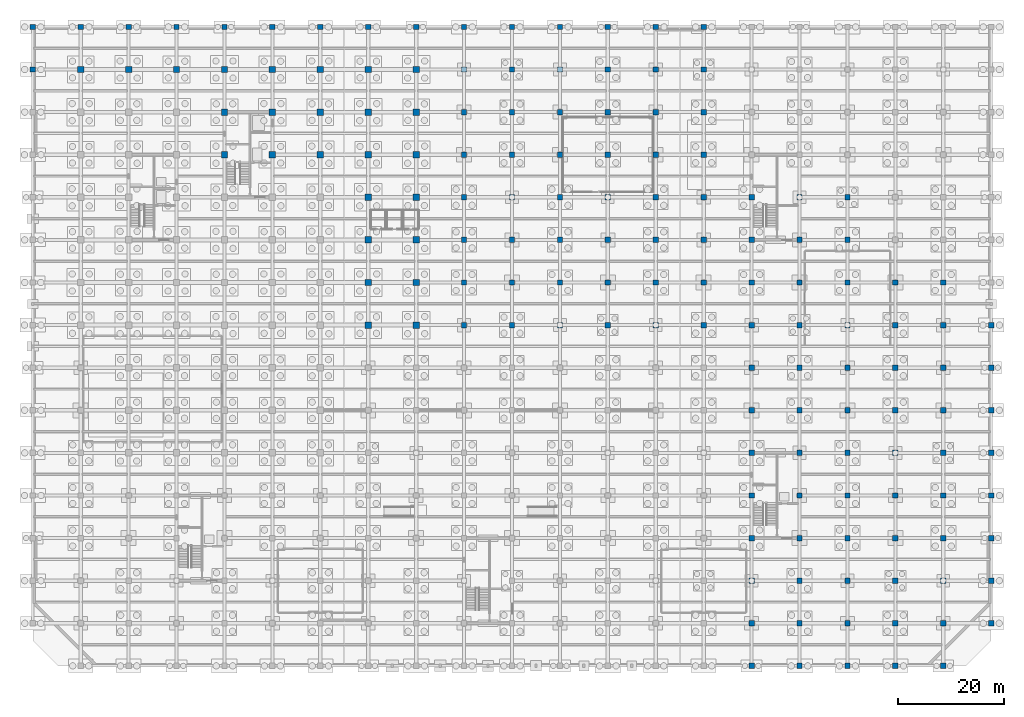
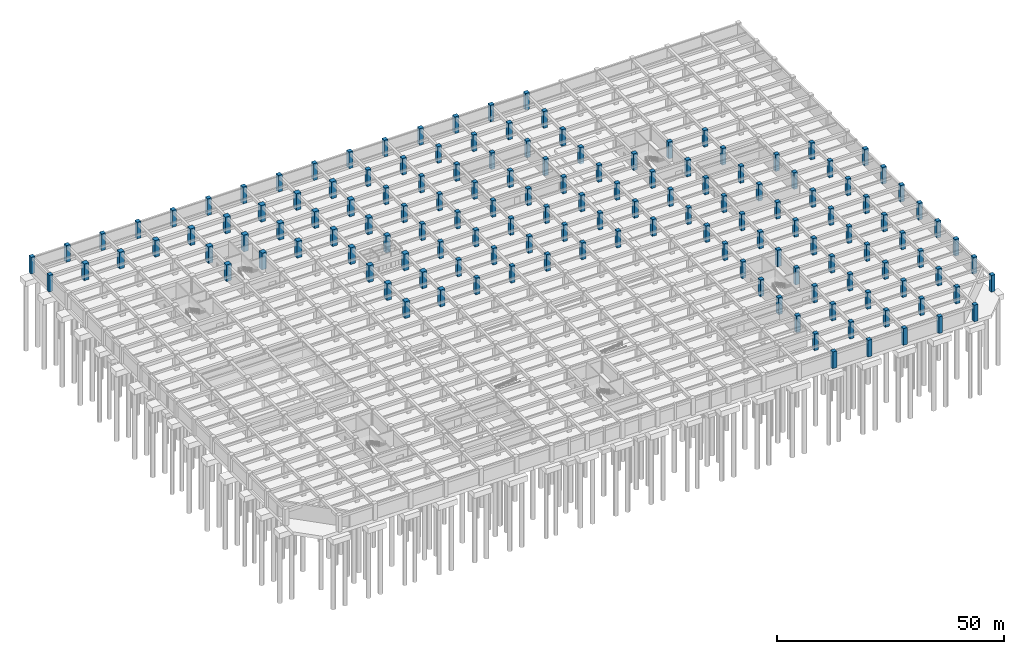
# One storey, part 10 of 31: 148 columns.
"""IFC4 building model written with IfcOpenShell, lengths in metres."""

import ifcopenshell
import ifcopenshell.guid

model = None  # the IFC model being written
_history = None  # IfcOwnerHistory: only IFC2X3 demands one
_inside = {}  # id of a spatial element -> (the spatial element, [elements in it])
_under = {}  # id of a project, library or spatial element -> (it, [spatial elements below it])
_declared = {}  # id of a project -> (the project, [libraries it declares])
_typed = {}  # id of a type object -> (the type object, [elements of that type])
_made_of = {}  # id of a material, layer set ... -> (it, [elements and type objects made of it])


def new_model(schema):
    """Start an empty IFC model of exactly this schema.

    Asked for "IFC4X3", IfcOpenShell would pick the latest addendum, in which some entities
    have other attributes; the version numbers below select the first issue.
    IFC2X3 requires an IfcOwnerHistory on every rooted entity: one is made here for all.
    """
    global model, _history
    if schema == "IFC4X3":
        model = ifcopenshell.file(schema_version=(4, 3, 0, 0))
    else:
        model = ifcopenshell.file(schema=schema)
    _inside.clear()
    _under.clear()
    _declared.clear()
    _typed.clear()
    _made_of.clear()
    _history = None
    if model.schema == "IFC2X3":
        org = make("IfcOrganization", Name="unknown")
        user = make(
            "IfcPersonAndOrganization",
            ThePerson=make("IfcPerson", FamilyName="unknown"),
            TheOrganization=org,
        )
        app = make(
            "IfcApplication",
            ApplicationDeveloper=org,
            Version="unknown",
            ApplicationFullName="unknown",
            ApplicationIdentifier="unknown",
        )
        _history = make(
            "IfcOwnerHistory",
            OwningUser=user,
            OwningApplication=app,
            ChangeAction="ADDED",
            CreationDate=0,
        )
    return model


def make(cls, **values):
    """One entity of the class cls with the attributes given. An attribute that is None is left unset."""
    return model.create_entity(
        cls, **{name: value for name, value in values.items() if value is not None}
    )


def rooted(cls, **values):
    """An entity with a GlobalId (a new one), such as an element, a storey or a relation."""
    return make(cls, GlobalId=ifcopenshell.guid.new(), OwnerHistory=_history, **values)


def si_unit(unit_type, name, prefix=None):
    """IfcSIUnit, for example si_unit("LENGTHUNIT", "METRE", prefix="MILLI")."""
    return make("IfcSIUnit", UnitType=unit_type, Prefix=prefix, Name=name)


def assignment(units):
    """IfcUnitAssignment: the units of a project."""
    return None if units is None else make("IfcUnitAssignment", Units=units)


def point(xyz):
    """IfcCartesianPoint."""
    return None if xyz is None else make("IfcCartesianPoint", Coordinates=xyz)


def direction(xyz):
    """IfcDirection."""
    return None if xyz is None else make("IfcDirection", DirectionRatios=xyz)


def frame(location, z_axis=None, x_axis=None):
    """IfcAxis2Placement3D, a coordinate frame: its origin and axes. An axis left out is left unset."""
    return make(
        "IfcAxis2Placement3D",
        Location=point(location),
        Axis=direction(z_axis),
        RefDirection=direction(x_axis),
    )


def frame_2d(location, x_axis=None):
    """IfcAxis2Placement2D, a coordinate frame in the plane: its origin and x axis."""
    return make(
        "IfcAxis2Placement2D", Location=point(location), RefDirection=direction(x_axis)
    )


def origin():
    """The frame at (0, 0, 0) with its axes left unset."""
    return frame((0.0, 0.0, 0.0))


def origin_2d():
    """The frame at (0, 0) in the plane with its x axis left unset."""
    return frame_2d((0.0, 0.0))


def place(relative_to, where):
    """IfcLocalPlacement: puts the frame where relative to a parent placement (None: the world)."""
    return make(
        "IfcLocalPlacement", PlacementRelTo=relative_to, RelativePlacement=where
    )


def context(
    kind, dimensions, precision=None, world=None, true_north=None, identifier=None
):
    """IfcGeometricRepresentationContext, for example the 3D "Model" context."""
    return make(
        "IfcGeometricRepresentationContext",
        ContextIdentifier=identifier,
        ContextType=kind,
        CoordinateSpaceDimension=dimensions,
        Precision=precision,
        WorldCoordinateSystem=world,
        TrueNorth=true_north,
    )


def subcontext(parent, identifier, kind, view, scale=None):
    """IfcGeometricRepresentationSubContext, for example "Body" below "Model"."""
    return make(
        "IfcGeometricRepresentationSubContext",
        ContextIdentifier=identifier,
        ContextType=kind,
        ParentContext=parent,
        TargetScale=scale,
        TargetView=view,
    )


def project(units=None, contexts=None):
    """IfcProject with its units and contexts."""
    return rooted(
        "IfcProject",
        Name="project",
        RepresentationContexts=contexts,
        UnitsInContext=assignment(units),
    )


def spatial(cls, under=None, at=None, **own):
    """A site, building, storey or space (cls), placed at a placement, below another one or the project."""
    s = rooted(cls, ObjectPlacement=at, **own)
    if under is not None:
        _under.setdefault(under.id(), (under, []))[1].append(s)
    return s


def profile(cls, at=None, kind="AREA", **sizes):
    """A parametric profile (cls). Its sizes go by their IFC names, for example OverallWidth=200.0."""
    return make(cls, ProfileType=kind, Position=at, **sizes)


def rectangle(**sizes):
    """IfcRectangleProfileDef."""
    return profile("IfcRectangleProfileDef", **sizes)


def extrude(swept, where, along, depth):
    """IfcExtrudedAreaSolid: the profile swept, set in the frame where, extruded along a direction by depth."""
    return make(
        "IfcExtrudedAreaSolid",
        SweptArea=swept,
        Position=where,
        ExtrudedDirection=direction(along),
        Depth=depth,
    )


def shape(context_of_items, identifier, shape_type, items):
    """IfcShapeRepresentation: the items that make up one representation, for example the "Body"."""
    return make(
        "IfcShapeRepresentation",
        ContextOfItems=context_of_items,
        RepresentationIdentifier=identifier,
        RepresentationType=shape_type,
        Items=items,
    )


def material(Name=None, Category=None):
    """IfcMaterial."""
    return make("IfcMaterial", Name=Name, Category=Category)


def material_profile(
    of_material, cross_section, Name=None, Category=None, Priority=None
):
    """IfcMaterialProfile: a cross section and its material."""
    return make(
        "IfcMaterialProfile",
        Name=Name,
        Material=of_material,
        Profile=cross_section,
        Priority=Priority,
        Category=Category,
    )


def profile_set(profiles, Name=None, composite=None):
    """IfcMaterialProfileSet."""
    return make(
        "IfcMaterialProfileSet",
        Name=Name,
        MaterialProfiles=profiles,
        CompositeProfile=composite,
    )


def made_of(thing, what):
    """Note that an element or type object is made of a material, layer set ...; save() writes the relation."""
    if what is not None:
        _made_of.setdefault(what.id(), (what, []))[1].append(thing)
    return thing


def type_object(cls, material=None, **own):
    """A type object (cls), such as IfcWallType, which elements share."""
    return made_of(rooted(cls, **own), material)


def element(
    cls,
    number,
    at=None,
    inside=None,
    cuts=None,
    type_object=None,
    material=None,
    context=None,
    identifier="Body",
    shape_type=None,
    held_by="IfcProductDefinitionShape",
    body=None,
    shapes=None,
    **own,
):
    """One element of the class cls, such as IfcWall. Its Tag is "e" and its number.

    at: its placement. inside: the storey or other place that contains it. cuts: it is an
    opening in that element (IfcRelVoidsElement). A single representation is given by context,
    identifier, shape_type and body (its items); several are given by shapes. held_by: the class
    of the entity that holds the representations. save() writes the other relations.
    """
    e = rooted(cls, Tag="e%d" % number, ObjectPlacement=at, **own)
    if body is not None:
        shapes = [shape(context, identifier, shape_type, body)]
    if shapes is not None:
        e.Representation = make(held_by, Representations=shapes)
    if inside is not None:
        _inside.setdefault(inside.id(), (inside, []))[1].append(e)
    if cuts is not None:
        rooted(
            "IfcRelVoidsElement", RelatingBuildingElement=cuts, RelatedOpeningElement=e
        )
    if type_object is not None:
        _typed.setdefault(type_object.id(), (type_object, []))[1].append(e)
    return made_of(e, material)


def aggregate(whole, parts):
    """IfcRelAggregates: a whole, such as a stair, and the parts it consists of."""
    return rooted("IfcRelAggregates", RelatingObject=whole, RelatedObjects=parts)


def save(model, path):
    """Write the relations noted so far, then the file.

    IfcRelAggregates (storeys below a building ...), IfcRelContainedInSpatialStructure (elements
    in a storey), IfcRelDefinesByType, IfcRelAssociatesMaterial and IfcRelDeclares: one each for
    every whole, place, type object, material and project.
    """
    for whole, parts in _under.values():
        aggregate(whole, parts)
    for where, things in _inside.values():
        rooted(
            "IfcRelContainedInSpatialStructure",
            RelatedElements=things,
            RelatingStructure=where,
        )
    for kind, things in _typed.values():
        rooted("IfcRelDefinesByType", RelatedObjects=things, RelatingType=kind)
    for what, things in _made_of.values():
        rooted("IfcRelAssociatesMaterial", RelatedObjects=things, RelatingMaterial=what)
    for by, libraries in _declared.values():
        rooted("IfcRelDeclares", RelatingContext=by, RelatedDefinitions=libraries)
    model.write(path)


model = new_model("IFC4")

# Units and contexts
model_context = context("Model", 3, precision=1e-05, world=origin(), true_north=direction((0.0, 1.0)))
body_context = subcontext(model_context, "Body", "Model", "MODEL_VIEW")
ifc_project = project(units=[si_unit("LENGTHUNIT", "METRE"), si_unit("AREAUNIT", "SQUARE_METRE"), si_unit("VOLUMEUNIT", "CUBIC_METRE"), si_unit("PLANEANGLEUNIT", "RADIAN"), si_unit("MASSUNIT", "GRAM", prefix="KILO")], contexts=[model_context])

# Site, building, storey
site_placement = place(None, origin())
site = spatial("IfcSite", under=ifc_project, at=site_placement, CompositionType="ELEMENT")
building_placement = place(site_placement, origin())
building = spatial("IfcBuilding", under=site, at=building_placement, Name="Zaverband Oceanarium and Marine Research Institute", CompositionType="ELEMENT")
storey_placement = place(building_placement, frame((0.0, 0.0, -9.0)))
storey = spatial("IfcBuildingStorey", under=building, at=storey_placement, Name="B2", CompositionType="ELEMENT", Elevation=-9.0)

# Columns
ifc_material = material(Name="Concrete C50/60", Category="concrete")
ifc_material_profile_1 = material_profile(ifc_material, rectangle(XDim=1.0, YDim=1.0, at=origin_2d()), Name="RC1000x1000")
ifc_profile_set_1 = profile_set([ifc_material_profile_1], Name="Concrete C50/60")
column_type_1 = type_object("IfcColumnType", Name="COL-C1000", PredefinedType="COLUMN", material=ifc_profile_set_1)
for number, where, z_axis, x_axis, name in (
    (1, (0.0, 112.0, 0.0), (0.0, 0.0, 1.0), (1.0, 0.0, 0.0), "Reinforced concrete column RC1000x1000 COL-C1000"),
    (2, (0.0, 120.0, 0.0), (0.0, 0.0, 1.0), (1.0, 0.0, 0.0), "Reinforced concrete column RC1000x1000 COL-C1000"),
    (3, (9.0, 120.0, 0.0), (0.0, 0.0, 1.0), (1.0, 0.0, 0.0), "Reinforced concrete column RC1000x1000 COL-C1000"),
    (4, (18.0, 120.0, 0.0), (0.0, 0.0, 1.0), (1.0, 0.0, 0.0), "Reinforced concrete column RC1000x1000 COL-C1000"),
    (5, (27.0, 120.0, 0.0), (0.0, 0.0, 1.0), (1.0, 0.0, 0.0), "Reinforced concrete column RC1000x1000 COL-C1000"),
    (6, (36.0, 120.0, 0.0), (0.0, 0.0, 1.0), (1.0, 0.0, 0.0), "Reinforced concrete column RC1000x1000 COL-C1000"),
    (7, (45.0, 120.0, 0.0), (0.0, 0.0, 1.0), (1.0, 0.0, 0.0), "Reinforced concrete column RC1000x1000 COL-C1000"),
    (8, (54.0, 120.0, 0.0), (0.0, 0.0, 1.0), (1.0, 0.0, 0.0), "Reinforced concrete column RC1000x1000 COL-C1000"),
    (9, (63.0, 120.0, 0.0), (0.0, 0.0, 1.0), (1.0, 0.0, 0.0), "Reinforced concrete column RC1000x1000 COL-C1000"),
    (10, (72.0, 120.0, 0.0), (0.0, 0.0, 1.0), (1.0, 0.0, 0.0), "Reinforced concrete column RC1000x1000 COL-C1000"),
    (11, (81.0, 64.0, 0.0), (0.0, 0.0, 1.0), (1.0, 0.0, 0.0), "Reinforced concrete column RC1000x1000 COL-C1000"),
    (12, (81.0, 72.0, 0.0), (0.0, 0.0, 1.0), (1.0, 0.0, 0.0), "Reinforced concrete column RC1000x1000 COL-C1000"),
    (13, (81.0, 80.0, 0.0), (0.0, 0.0, 1.0), (1.0, 0.0, 0.0), "Reinforced concrete column RC1000x1000 COL-C1000"),
    (14, (81.0, 88.0, 0.0), (0.0, 0.0, 1.0), (1.0, 0.0, 0.0), "Reinforced concrete column RC1000x1000 COL-C1000"),
    (15, (81.0, 96.0, 0.0), (0.0, 0.0, 1.0), (1.0, 0.0, 0.0), "Reinforced concrete column RC1000x1000 COL-C1000"),
    (16, (81.0, 104.0, 0.0), (0.0, 0.0, 1.0), (1.0, 0.0, 0.0), "Reinforced concrete column RC1000x1000 COL-C1000"),
    (17, (81.0, 112.0, 0.0), (0.0, 0.0, 1.0), (1.0, 0.0, 0.0), "Reinforced concrete column RC1000x1000 COL-C1000"),
    (18, (81.0, 120.0, 0.0), (0.0, 0.0, 1.0), (1.0, 0.0, 0.0), "Reinforced concrete column RC1000x1000 COL-C1000"),
    (19, (90.0, 64.0, 0.0), (0.0, 0.0, 1.0), (1.0, 0.0, 0.0), "Reinforced concrete column RC1000x1000 COL-C1000"),
    (20, (90.0, 72.0, 0.0), (0.0, 0.0, 1.0), (1.0, 0.0, 0.0), "Reinforced concrete column RC1000x1000 COL-C1000"),
    (21, (90.0, 80.0, 0.0), (0.0, 0.0, 1.0), (1.0, 0.0, 0.0), "Reinforced concrete column RC1000x1000 COL-C1000"),
    (22, (90.0, 88.0, 0.0), (0.0, 0.0, 1.0), (1.0, 0.0, 0.0), "Reinforced concrete column RC1000x1000 COL-C1000"),
    (23, (90.0, 96.0, 0.0), (0.0, 0.0, 1.0), (1.0, 0.0, 0.0), "Reinforced concrete column RC1000x1000 COL-C1000"),
    (24, (90.0, 104.0, 0.0), (0.0, 0.0, 1.0), (1.0, 0.0, 0.0), "Reinforced concrete column RC1000x1000 COL-C1000"),
    (25, (90.0, 112.0, 0.0), (0.0, 0.0, 1.0), (1.0, 0.0, 0.0), "Reinforced concrete column RC1000x1000 COL-C1000"),
    (26, (90.0, 120.0, 0.0), (0.0, 0.0, 1.0), (1.0, 0.0, 0.0), "Reinforced concrete column RC1000x1000 COL-C1000"),
    (27, (99.0, 64.0, 0.0), (0.0, 0.0, 1.0), (1.0, 0.0, 0.0), "Reinforced concrete column RC1000x1000 COL-C1000"),
    (28, (99.0, 72.0, 0.0), (0.0, 0.0, 1.0), (1.0, 0.0, 0.0), "Reinforced concrete column RC1000x1000 COL-C1000"),
    (29, (99.0, 80.0, 0.0), (0.0, 0.0, 1.0), (1.0, 0.0, 0.0), "Reinforced concrete column RC1000x1000 COL-C1000"),
    (30, (99.0, 88.0, 0.0), (0.0, 0.0, 1.0), (1.0, 0.0, 0.0), "Reinforced concrete column RC1000x1000 COL-C1000"),
    (31, (99.0, 96.0, 0.0), (0.0, 0.0, 1.0), (1.0, 0.0, 0.0), "Reinforced concrete column RC1000x1000 COL-C1000"),
    (32, (99.0, 104.0, 0.0), (0.0, 0.0, 1.0), (1.0, 0.0, 0.0), "Reinforced concrete column RC1000x1000 COL-C1000"),
    (33, (99.0, 112.0, 0.0), (0.0, 0.0, 1.0), (1.0, 0.0, 0.0), "Reinforced concrete column RC1000x1000 COL-C1000"),
    (34, (99.0, 120.0, 0.0), (0.0, 0.0, 1.0), (1.0, 0.0, 0.0), "Reinforced concrete column RC1000x1000 COL-C1000"),
    (35, (108.0, 64.0, 0.0), (0.0, 0.0, 1.0), (1.0, 0.0, 0.0), "Reinforced concrete column RC1000x1000 COL-C1000"),
    (36, (108.0, 72.0, 0.0), (0.0, 0.0, 1.0), (1.0, 0.0, 0.0), "Reinforced concrete column RC1000x1000 COL-C1000"),
    (37, (108.0, 80.0, 0.0), (0.0, 0.0, 1.0), (1.0, 0.0, 0.0), "Reinforced concrete column RC1000x1000 COL-C1000"),
    (38, (108.0, 88.0, 0.0), (0.0, 0.0, 1.0), (1.0, 0.0, 0.0), "Reinforced concrete column RC1000x1000 COL-C1000"),
    (39, (108.0, 96.0, 0.0), (0.0, 0.0, 1.0), (1.0, 0.0, 0.0), "Reinforced concrete column RC1000x1000 COL-C1000"),
    (40, (108.0, 104.0, 0.0), (0.0, 0.0, 1.0), (1.0, 0.0, 0.0), "Reinforced concrete column RC1000x1000 COL-C1000"),
    (41, (108.0, 112.0, 0.0), (0.0, 0.0, 1.0), (1.0, 0.0, 0.0), "Reinforced concrete column RC1000x1000 COL-C1000"),
    (42, (108.0, 120.0, 0.0), (0.0, 0.0, 1.0), (1.0, 0.0, 0.0), "Reinforced concrete column RC1000x1000 COL-C1000"),
    (43, (117.0, 64.0, 0.0), (0.0, 0.0, 1.0), (1.0, 0.0, 0.0), "Reinforced concrete column RC1000x1000 COL-C1000"),
    (44, (117.0, 72.0, 0.0), (0.0, 0.0, 1.0), (1.0, 0.0, 0.0), "Reinforced concrete column RC1000x1000 COL-C1000"),
    (45, (117.0, 80.0, 0.0), (0.0, 0.0, 1.0), (1.0, 0.0, 0.0), "Reinforced concrete column RC1000x1000 COL-C1000"),
    (46, (117.0, 88.0, 0.0), (0.0, 0.0, 1.0), (1.0, 0.0, 0.0), "Reinforced concrete column RC1000x1000 COL-C1000"),
    (47, (117.0, 96.0, 0.0), (0.0, 0.0, 1.0), (1.0, 0.0, 0.0), "Reinforced concrete column RC1000x1000 COL-C1000"),
    (48, (117.0, 104.0, 0.0), (0.0, 0.0, 1.0), (1.0, 0.0, 0.0), "Reinforced concrete column RC1000x1000 COL-C1000"),
    (49, (117.0, 112.0, 0.0), (0.0, 0.0, 1.0), (1.0, 0.0, 0.0), "Reinforced concrete column RC1000x1000 COL-C1000"),
    (50, (117.0, 120.0, 0.0), (0.0, 0.0, 1.0), (1.0, 0.0, 0.0), "Reinforced concrete column RC1000x1000 COL-C1000"),
    (51, (126.0, 64.0, 0.0), (0.0, 0.0, 1.0), (1.0, 0.0, 0.0), "Reinforced concrete column RC1000x1000 COL-C1000"),
    (52, (126.0, 72.0, 0.0), (0.0, 0.0, 1.0), (1.0, 0.0, 0.0), "Reinforced concrete column RC1000x1000 COL-C1000"),
    (53, (126.0, 80.0, 0.0), (0.0, 0.0, 1.0), (1.0, 0.0, 0.0), "Reinforced concrete column RC1000x1000 COL-C1000"),
    (54, (126.0, 88.0, 0.0), (0.0, 0.0, 1.0), (1.0, 0.0, 0.0), "Reinforced concrete column RC1000x1000 COL-C1000"),
    (55, (126.0, 96.0, 0.0), (0.0, 0.0, 1.0), (1.0, 0.0, 0.0), "Reinforced concrete column RC1000x1000 COL-C1000"),
    (56, (126.0, 104.0, 0.0), (0.0, 0.0, 1.0), (1.0, 0.0, 0.0), "Reinforced concrete column RC1000x1000 COL-C1000"),
    (57, (126.0, 112.0, 0.0), (0.0, 0.0, 1.0), (1.0, 0.0, 0.0), "Reinforced concrete column RC1000x1000 COL-C1000"),
    (58, (126.0, 120.0, 0.0), (0.0, 0.0, 1.0), (1.0, 0.0, 0.0), "Reinforced concrete column RC1000x1000 COL-C1000"),
    (59, (135.0, 0.0, 0.0), (0.0, 0.0, 1.0), (1.0, 0.0, 0.0), "Reinforced concrete column RC1000x1000 COL-C1000"),
    (60, (135.0, 8.0, 0.0), (0.0, 0.0, 1.0), (1.0, 0.0, 0.0), "Reinforced concrete column RC1000x1000 COL-C1000"),
    (61, (135.0, 16.0, 0.0), (0.0, 0.0, 1.0), (1.0, 0.0, 0.0), "Reinforced concrete column RC1000x1000 COL-C1000"),
    (62, (135.0, 24.0, 0.0), (0.0, 0.0, 1.0), (1.0, 0.0, 0.0), "Reinforced concrete column RC1000x1000 COL-C1000"),
    (63, (135.0, 32.0, 0.0), (0.0, 0.0, 1.0), (1.0, 0.0, 0.0), "Reinforced concrete column RC1000x1000 COL-C1000"),
    (64, (135.0, 40.0, 0.0), (0.0, 0.0, 1.0), (1.0, 0.0, 0.0), "Reinforced concrete column RC1000x1000 COL-C1000"),
    (65, (135.0, 48.0, 0.0), (0.0, 0.0, 1.0), (1.0, 0.0, 0.0), "Reinforced concrete column RC1000x1000 COL-C1000"),
    (66, (135.0, 56.0, 0.0), (0.0, 0.0, 1.0), (1.0, 0.0, 0.0), "Reinforced concrete column RC1000x1000 COL-C1000"),
    (67, (135.0, 64.0, 0.0), (0.0, 0.0, 1.0), (1.0, 0.0, 0.0), "Reinforced concrete column RC1000x1000 COL-C1000"),
    (68, (135.0, 72.0, 0.0), (0.0, 0.0, 1.0), (1.0, 0.0, 0.0), "Reinforced concrete column RC1000x1000 COL-C1000"),
    (69, (135.0, 80.0, 0.0), (0.0, 0.0, 1.0), (1.0, 0.0, 0.0), "Reinforced concrete column RC1000x1000 COL-C1000"),
    (70, (135.0, 88.0, 0.0), (0.0, 0.0, 1.0), (1.0, 0.0, 0.0), "Reinforced concrete column RC1000x1000 COL-C1000"),
    (71, (144.0, 0.0, 0.0), (0.0, 0.0, 1.0), (1.0, 0.0, 0.0), "Reinforced concrete column RC1000x1000 COL-C1000"),
    (72, (144.0, 8.0, 0.0), (0.0, 0.0, 1.0), (1.0, 0.0, 0.0), "Reinforced concrete column RC1000x1000 COL-C1000"),
    (73, (144.0, 16.0, 0.0), (0.0, 0.0, 1.0), (1.0, 0.0, 0.0), "Reinforced concrete column RC1000x1000 COL-C1000"),
    (74, (144.0, 24.0, 0.0), (0.0, 0.0, 1.0), (1.0, 0.0, 0.0), "Reinforced concrete column RC1000x1000 COL-C1000"),
    (75, (144.0, 32.0, 0.0), (0.0, 0.0, 1.0), (1.0, 0.0, 0.0), "Reinforced concrete column RC1000x1000 COL-C1000"),
    (76, (144.0, 40.0, 0.0), (0.0, 0.0, 1.0), (1.0, 0.0, 0.0), "Reinforced concrete column RC1000x1000 COL-C1000"),
    (77, (144.0, 48.0, 0.0), (0.0, 0.0, 1.0), (1.0, 0.0, 0.0), "Reinforced concrete column RC1000x1000 COL-C1000"),
    (78, (144.0, 56.0, 0.0), (0.0, 0.0, 1.0), (1.0, 0.0, 0.0), "Reinforced concrete column RC1000x1000 COL-C1000"),
    (79, (144.0, 64.0, 0.0), (0.0, 0.0, 1.0), (1.0, 0.0, 0.0), "Reinforced concrete column RC1000x1000 COL-C1000"),
    (80, (144.0, 72.0, 0.0), (0.0, 0.0, 1.0), (1.0, 0.0, 0.0), "Reinforced concrete column RC1000x1000 COL-C1000"),
    (81, (144.0, 80.0, 0.0), (0.0, 0.0, 1.0), (1.0, 0.0, 0.0), "Reinforced concrete column RC1000x1000 COL-C1000"),
    (82, (144.0, 88.0, 0.0), (0.0, 0.0, 1.0), (1.0, 0.0, 0.0), "Reinforced concrete column RC1000x1000 COL-C1000"),
    (83, (153.0, 0.0, 0.0), (0.0, 0.0, 1.0), (1.0, 0.0, 0.0), "Reinforced concrete column RC1000x1000 COL-C1000"),
    (84, (153.0, 8.0, 0.0), (0.0, 0.0, 1.0), (1.0, 0.0, 0.0), "Reinforced concrete column RC1000x1000 COL-C1000"),
    (85, (153.0, 16.0, 0.0), (0.0, 0.0, 1.0), (1.0, 0.0, 0.0), "Reinforced concrete column RC1000x1000 COL-C1000"),
    (86, (153.0, 24.0, 0.0), (0.0, 0.0, 1.0), (1.0, 0.0, 0.0), "Reinforced concrete column RC1000x1000 COL-C1000"),
    (87, (153.0, 32.0, 0.0), (0.0, 0.0, 1.0), (1.0, 0.0, 0.0), "Reinforced concrete column RC1000x1000 COL-C1000"),
    (88, (153.0, 40.0, 0.0), (0.0, 0.0, 1.0), (1.0, 0.0, 0.0), "Reinforced concrete column RC1000x1000 COL-C1000"),
    (89, (153.0, 48.0, 0.0), (0.0, 0.0, 1.0), (1.0, 0.0, 0.0), "Reinforced concrete column RC1000x1000 COL-C1000"),
    (90, (153.0, 56.0, 0.0), (0.0, 0.0, 1.0), (1.0, 0.0, 0.0), "Reinforced concrete column RC1000x1000 COL-C1000"),
    (91, (153.0, 64.0, 0.0), (0.0, 0.0, 1.0), (1.0, 0.0, 0.0), "Reinforced concrete column RC1000x1000 COL-C1000"),
    (92, (153.0, 72.0, 0.0), (0.0, 0.0, 1.0), (1.0, 0.0, 0.0), "Reinforced concrete column RC1000x1000 COL-C1000"),
    (93, (153.0, 80.0, 0.0), (0.0, 0.0, 1.0), (1.0, 0.0, 0.0), "Reinforced concrete column RC1000x1000 COL-C1000"),
    (94, (153.0, 88.0, 0.0), (0.0, 0.0, 1.0), (1.0, 0.0, 0.0), "Reinforced concrete column RC1000x1000 COL-C1000"),
    (95, (162.0, 0.0, 0.0), (0.0, 0.0, 1.0), (1.0, 0.0, 0.0), "Reinforced concrete column RC1000x1000 COL-C1000"),
    (96, (162.0, 8.0, 0.0), (0.0, 0.0, 1.0), (1.0, 0.0, 0.0), "Reinforced concrete column RC1000x1000 COL-C1000"),
    (97, (162.0, 16.0, 0.0), (0.0, 0.0, 1.0), (1.0, 0.0, 0.0), "Reinforced concrete column RC1000x1000 COL-C1000"),
    (98, (162.0, 24.0, 0.0), (0.0, 0.0, 1.0), (1.0, 0.0, 0.0), "Reinforced concrete column RC1000x1000 COL-C1000"),
    (99, (162.0, 32.0, 0.0), (0.0, 0.0, 1.0), (1.0, 0.0, 0.0), "Reinforced concrete column RC1000x1000 COL-C1000"),
    (100, (162.0, 40.0, 0.0), (0.0, 0.0, 1.0), (1.0, 0.0, 0.0), "Reinforced concrete column RC1000x1000 COL-C1000"),
    (101, (162.0, 48.0, 0.0), (0.0, 0.0, 1.0), (1.0, 0.0, 0.0), "Reinforced concrete column RC1000x1000 COL-C1000"),
    (102, (162.0, 56.0, 0.0), (0.0, 0.0, 1.0), (1.0, 0.0, 0.0), "Reinforced concrete column RC1000x1000 COL-C1000"),
    (103, (162.0, 64.0, 0.0), (0.0, 0.0, 1.0), (1.0, 0.0, 0.0), "Reinforced concrete column RC1000x1000 COL-C1000"),
    (104, (162.0, 72.0, 0.0), (0.0, 0.0, 1.0), (1.0, 0.0, 0.0), "Reinforced concrete column RC1000x1000 COL-C1000"),
    (105, (171.0, 0.0, 0.0), (0.0, 0.0, 1.0), (1.0, 0.0, 0.0), "Reinforced concrete column RC1000x1000 COL-C1000"),
    (106, (171.0, 8.0, 0.0), (0.0, 0.0, 1.0), (1.0, 0.0, 0.0), "Reinforced concrete column RC1000x1000 COL-C1000"),
    (107, (171.0, 16.0, 0.0), (0.0, 0.0, 1.0), (1.0, 0.0, 0.0), "Reinforced concrete column RC1000x1000 COL-C1000"),
    (108, (171.0, 24.0, 0.0), (0.0, 0.0, 1.0), (1.0, 0.0, 0.0), "Reinforced concrete column RC1000x1000 COL-C1000"),
    (109, (171.0, 32.0, 0.0), (0.0, 0.0, 1.0), (1.0, 0.0, 0.0), "Reinforced concrete column RC1000x1000 COL-C1000"),
    (110, (171.0, 40.0, 0.0), (0.0, 0.0, 1.0), (1.0, 0.0, 0.0), "Reinforced concrete column RC1000x1000 COL-C1000"),
    (111, (171.0, 48.0, 0.0), (0.0, 0.0, 1.0), (1.0, 0.0, 0.0), "Reinforced concrete column RC1000x1000 COL-C1000"),
    (112, (171.0, 56.0, 0.0), (0.0, 0.0, 1.0), (1.0, 0.0, 0.0), "Reinforced concrete column RC1000x1000 COL-C1000"),
    (113, (171.0, 64.0, 0.0), (0.0, 0.0, 1.0), (1.0, 0.0, 0.0), "Reinforced concrete column RC1000x1000 COL-C1000"),
    (114, (171.0, 72.0, 0.0), (0.0, 0.0, 1.0), (1.0, 0.0, 0.0), "Reinforced concrete column RC1000x1000 COL-C1000"),
    (115, (180.0, 8.0, 0.0), (0.0, 0.0, 1.0), (1.0, 0.0, 0.0), "Reinforced concrete column RC1000x1000 COL-C1000"),
    (116, (180.0, 16.0, 0.0), (0.0, 0.0, 1.0), (1.0, 0.0, 0.0), "Reinforced concrete column RC1000x1000 COL-C1000"),
    (117, (180.0, 24.0, 0.0), (0.0, 0.0, 1.0), (1.0, 0.0, 0.0), "Reinforced concrete column RC1000x1000 COL-C1000"),
    (118, (180.0, 32.0, 0.0), (0.0, 0.0, 1.0), (1.0, 0.0, 0.0), "Reinforced concrete column RC1000x1000 COL-C1000"),
    (119, (180.0, 40.0, 0.0), (0.0, 0.0, 1.0), (1.0, 0.0, 0.0), "Reinforced concrete column RC1000x1000 COL-C1000"),
    (120, (180.0, 48.0, 0.0), (0.0, 0.0, 1.0), (1.0, 0.0, 0.0), "Reinforced concrete column RC1000x1000 COL-C1000"),
    (121, (180.0, 56.0, 0.0), (0.0, 0.0, 1.0), (1.0, 0.0, 0.0), "Reinforced concrete column RC1000x1000 COL-C1000"),
    (122, (180.0, 64.0, 0.0), (0.0, 0.0, 1.0), (1.0, 0.0, 0.0), "Reinforced concrete column RC1000x1000 COL-C1000"),
):
    element("IfcColumn", number, at=place(storey_placement, frame(where, z_axis=z_axis, x_axis=x_axis)), inside=storey, type_object=column_type_1, Name=name, PredefinedType="COLUMN", context=body_context, shape_type="SweptSolid", body=[
        extrude(rectangle(XDim=1.0, YDim=1.0, at=origin_2d()), origin(), (0.0, 0.0, 1.0), 4.5),
    ])
ifc_material_profile_2 = material_profile(ifc_material, rectangle(XDim=1.199951171875, YDim=1.199951171875, at=origin_2d()), Name="RC1200x1200")
ifc_profile_set_2 = profile_set([ifc_material_profile_2], Name="Concrete C50/60")
column_type_2 = type_object("IfcColumnType", Name="COL-C1200", PredefinedType="COLUMN", material=ifc_profile_set_2)
for number, where, z_axis, x_axis, name in (
    (123, (9.0, 112.0, 0.0), (0.0, 0.0, 1.0), (1.0, 0.0, 0.0), "Reinforced concrete column RC1200x1200 COL-C1200"),
    (124, (18.0, 112.0, 0.0), (0.0, 0.0, 1.0), (1.0, 0.0, 0.0), "Reinforced concrete column RC1200x1200 COL-C1200"),
    (125, (27.0, 112.0, 0.0), (0.0, 0.0, 1.0), (1.0, 0.0, 0.0), "Reinforced concrete column RC1200x1200 COL-C1200"),
    (126, (36.0, 96.0, 0.0), (0.0, 0.0, 1.0), (1.0, 0.0, 0.0), "Reinforced concrete column RC1200x1200 COL-C1200"),
    (127, (36.0, 104.0, 0.0), (0.0, 0.0, 1.0), (1.0, 0.0, 0.0), "Reinforced concrete column RC1200x1200 COL-C1200"),
    (128, (36.0, 112.0, 0.0), (0.0, 0.0, 1.0), (1.0, 0.0, 0.0), "Reinforced concrete column RC1200x1200 COL-C1200"),
    (129, (45.0, 96.0, 0.0), (0.0, 0.0, 1.0), (1.0, 0.0, 0.0), "Reinforced concrete column RC1200x1200 COL-C1200"),
    (130, (45.0, 104.0, 0.0), (0.0, 0.0, 1.0), (1.0, 0.0, 0.0), "Reinforced concrete column RC1200x1200 COL-C1200"),
    (131, (45.0, 112.0, 0.0), (0.0, 0.0, 1.0), (1.0, 0.0, 0.0), "Reinforced concrete column RC1200x1200 COL-C1200"),
    (132, (54.0, 96.0, 0.0), (0.0, 0.0, 1.0), (1.0, 0.0, 0.0), "Reinforced concrete column RC1200x1200 COL-C1200"),
    (133, (54.0, 104.0, 0.0), (0.0, 0.0, 1.0), (1.0, 0.0, 0.0), "Reinforced concrete column RC1200x1200 COL-C1200"),
    (134, (54.0, 112.0, 0.0), (0.0, 0.0, 1.0), (1.0, 0.0, 0.0), "Reinforced concrete column RC1200x1200 COL-C1200"),
    (135, (63.0, 64.0, 0.0), (0.0, 0.0, 1.0), (1.0, 0.0, 0.0), "Reinforced concrete column RC1200x1200 COL-C1200"),
    (136, (63.0, 72.0, 0.0), (0.0, 0.0, 1.0), (1.0, 0.0, 0.0), "Reinforced concrete column RC1200x1200 COL-C1200"),
    (137, (63.0, 80.0, 0.0), (0.0, 0.0, 1.0), (1.0, 0.0, 0.0), "Reinforced concrete column RC1200x1200 COL-C1200"),
    (138, (63.0, 88.0, 0.0), (0.0, 0.0, 1.0), (1.0, 0.0, 0.0), "Reinforced concrete column RC1200x1200 COL-C1200"),
    (139, (63.0, 96.0, 0.0), (0.0, 0.0, 1.0), (1.0, 0.0, 0.0), "Reinforced concrete column RC1200x1200 COL-C1200"),
    (140, (63.0, 104.0, 0.0), (0.0, 0.0, 1.0), (1.0, 0.0, 0.0), "Reinforced concrete column RC1200x1200 COL-C1200"),
    (141, (63.0, 112.0, 0.0), (0.0, 0.0, 1.0), (1.0, 0.0, 0.0), "Reinforced concrete column RC1200x1200 COL-C1200"),
    (142, (72.0, 64.0, 0.0), (0.0, 0.0, 1.0), (1.0, 0.0, 0.0), "Reinforced concrete column RC1200x1200 COL-C1200"),
    (143, (72.0, 72.0, 0.0), (0.0, 0.0, 1.0), (1.0, 0.0, 0.0), "Reinforced concrete column RC1200x1200 COL-C1200"),
    (144, (72.0, 80.0, 0.0), (0.0, 0.0, 1.0), (1.0, 0.0, 0.0), "Reinforced concrete column RC1200x1200 COL-C1200"),
    (145, (72.0, 88.0, 0.0), (0.0, 0.0, 1.0), (1.0, 0.0, 0.0), "Reinforced concrete column RC1200x1200 COL-C1200"),
    (146, (72.0, 96.0, 0.0), (0.0, 0.0, 1.0), (1.0, 0.0, 0.0), "Reinforced concrete column RC1200x1200 COL-C1200"),
    (147, (72.0, 104.0, 0.0), (0.0, 0.0, 1.0), (1.0, 0.0, 0.0), "Reinforced concrete column RC1200x1200 COL-C1200"),
    (148, (72.0, 112.0, 0.0), (0.0, 0.0, 1.0), (1.0, 0.0, 0.0), "Reinforced concrete column RC1200x1200 COL-C1200"),
):
    element("IfcColumn", number, at=place(storey_placement, frame(where, z_axis=z_axis, x_axis=x_axis)), inside=storey, type_object=column_type_2, Name=name, PredefinedType="COLUMN", context=body_context, shape_type="SweptSolid", body=[
        extrude(rectangle(XDim=1.199951171875, YDim=1.199951171875, at=origin_2d()), origin(), (0.0, 0.0, 1.0), 4.5),
    ])

save(model, "model.ifc")
